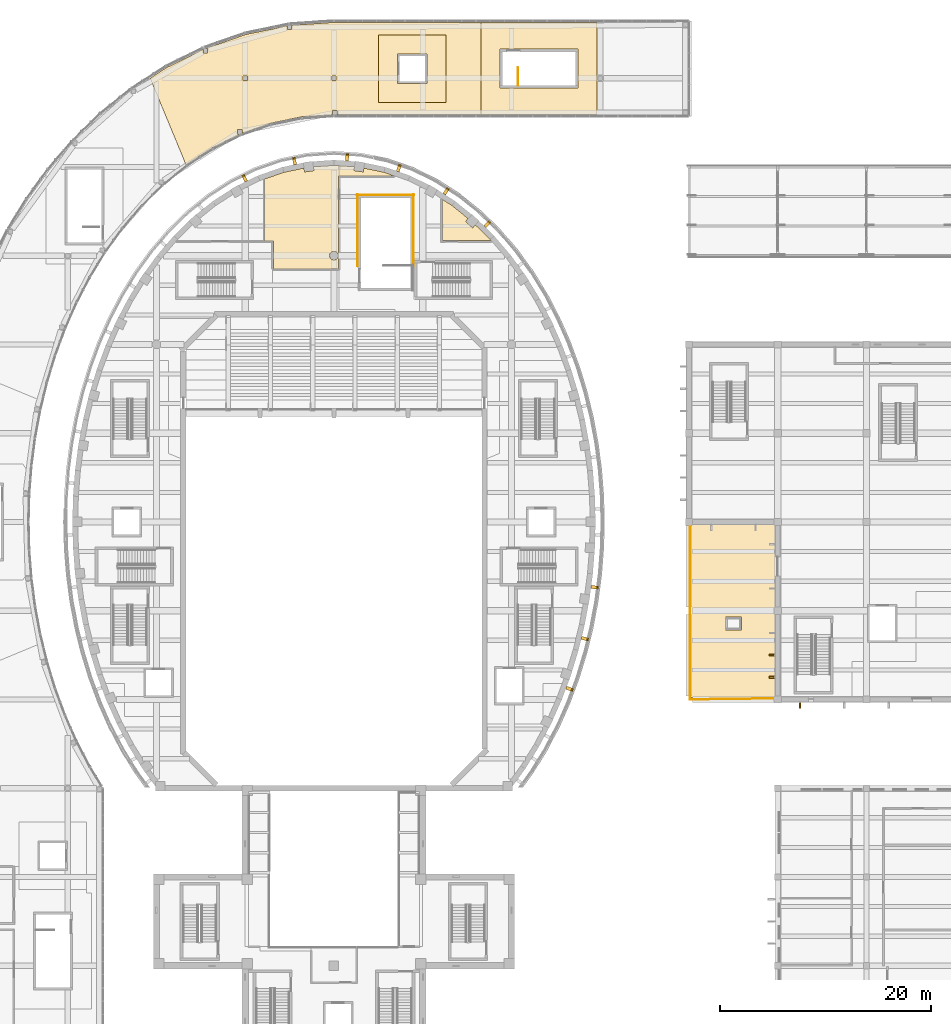
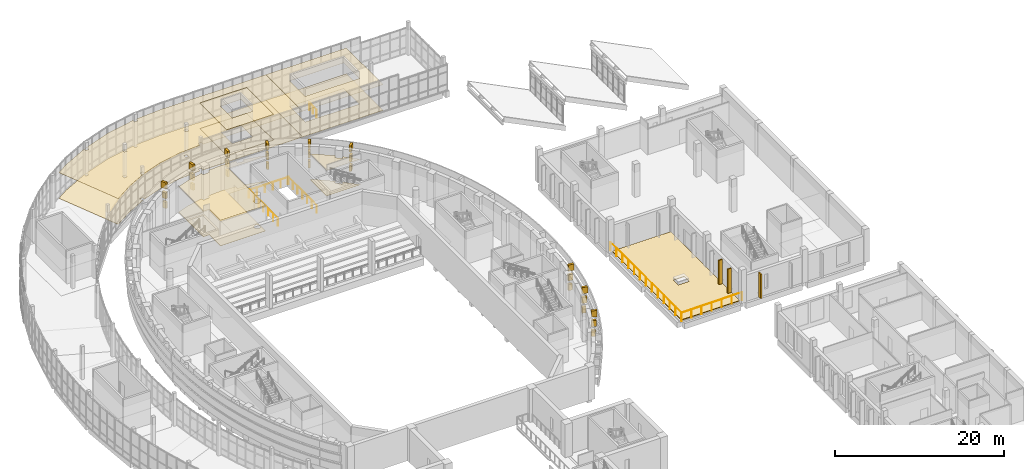
# One storey, part 98 of 103: 41 coverings, 5 railings.
"""IFC4 building model written with IfcOpenShell, lengths in metres."""

from ifc_helpers import new_model, si_unit, direction, frame, origin, origin_2d, place, context, subcontext, project, spatial, polyline, rectangle, circle, outline, extrude, material, layer, layer_set, type_object, element, save


model = new_model("IFC4")

# Units and contexts
model_context = context("Model", 3, precision=1e-05, world=origin(), true_north=direction((0.0, 1.0)))
body_context = subcontext(model_context, "Body", "Model", "MODEL_VIEW")
ifc_project = project(units=[si_unit("LENGTHUNIT", "METRE"), si_unit("AREAUNIT", "SQUARE_METRE"), si_unit("VOLUMEUNIT", "CUBIC_METRE"), si_unit("PLANEANGLEUNIT", "RADIAN"), si_unit("MASSUNIT", "GRAM", prefix="KILO")], contexts=[model_context])

# Site, building, storey
site_placement = place(None, origin())
site = spatial("IfcSite", under=ifc_project, at=site_placement, CompositionType="ELEMENT")
building_placement = place(site_placement, origin())
building = spatial("IfcBuilding", under=site, at=building_placement, Name="Larchfold Concert Hall", CompositionType="ELEMENT")
storey_placement = place(building_placement, frame((0.0, 0.0, 9.60009765625)))
storey = spatial("IfcBuildingStorey", under=building, at=storey_placement, Name="L02", CompositionType="ELEMENT", Elevation=9.60009765625)

# Coverings
ifc_material_1 = material(Name="Mineral fibre ceiling tile")
ifc_layer_1 = layer(ifc_material_1, 0.02001953125)
ifc_layer_set_1 = layer_set([ifc_layer_1], Name="Mineral fibre ceiling tile")
covering_type_1 = type_object("IfcCoveringType", Name="Ceiling mineral fibre tile 20", PredefinedType="CEILING", material=ifc_layer_set_1)
covering_1_placement = place(storey_placement, frame((0.0, 0.0, 3.679931640625)))
element("IfcCovering", 1, at=covering_1_placement, inside=storey, type_object=covering_type_1, Name="Ceiling Public Toilets", PredefinedType="CEILING", context=body_context, shape_type="SweptSolid", body=[
    extrude(outline(polyline([(36.000732421875, 111.215087890625), (36.02001953125, 111.21142578125), (36.02001953125, 111.14990234375), (36.02099609375, 111.21142578125), (36.861572265625, 111.21142578125), (36.861572265625, 108.56494140625), (36.800048828125, 108.5625), (43.034912109375, 108.5625), (43.03857421875, 108.5), (43.03857421875, 117.361572265625), (48.308837890625, 117.360595703125), (47.34130859375, 117.697509765625), (45.433837890625, 118.093017578125), (45.383544921875, 117.7275390625), (44.491943359375, 117.8505859375), (44.542236328125, 118.215576171875), (42.60009765625, 118.349609375), (40.657958984375, 118.215576171875), (40.708251953125, 117.8505859375), (39.816650390625, 117.7275390625), (39.766357421875, 118.093017578125), (37.85888671875, 117.697509765625), (36.0, 117.050048828125), (36.0, 117.0400390625), (36.050048828125, 117.0400390625), (36.050048828125, 111.215087890625), (36.000732421875, 111.215087890625)]), holes=[polyline([(42.49658203125, 109.41357421875), (42.400146484375, 109.45361328125), (42.356689453125, 109.482666015625), (42.28271484375, 109.556640625), (42.23046875, 109.64697265625), (42.213623046875, 109.696533203125), (42.20361328125, 109.747802734375), (42.20361328125, 109.852294921875), (42.23046875, 109.953125), (42.253662109375, 110.0), (42.28271484375, 110.04345703125), (42.356689453125, 110.117431640625), (42.447021484375, 110.169677734375), (42.49658203125, 110.1865234375), (42.60009765625, 110.199951171875), (42.65234375, 110.196533203125), (42.70361328125, 110.1865234375), (42.800048828125, 110.146484375), (42.843505859375, 110.117431640625), (42.91748046875, 110.04345703125), (42.9697265625, 109.953125), (42.986572265625, 109.903564453125), (42.99658203125, 109.852294921875), (42.99658203125, 109.747802734375), (42.9697265625, 109.64697265625), (42.946533203125, 109.60009765625), (42.91748046875, 109.556640625), (42.843505859375, 109.482666015625), (42.753173828125, 109.430419921875), (42.70361328125, 109.41357421875), (42.60009765625, 109.400146484375), (42.5478515625, 109.403564453125), (42.49658203125, 109.41357421875)])]), origin(), (0.0, 0.0, 1.0), 0.02001953125),
])
covering_2_placement = place(storey_placement, frame((0.0, 0.0, 3.679931640625)))
element("IfcCovering", 2, at=covering_2_placement, inside=storey, type_object=covering_type_1, Name="Ceiling Hall Store 01", PredefinedType="CEILING", context=body_context, shape_type="SweptSolid", body=[
    extrude(outline(polyline([(52.87890625, 111.150146484375), (52.87890625, 111.225830078125), (57.489990234375, 111.223876953125), (57.384765625, 111.3466796875), (55.983154296875, 112.717041015625), (55.7314453125, 112.434326171875), (55.059326171875, 113.03271484375), (55.31005859375, 113.314453125), (53.78564453125, 114.541748046875), (52.875, 115.128662109375), (52.87890625, 111.150146484375)])), origin(), (0.0, 0.0, 1.0), 0.02001953125),
])
ifc_material_2 = material(Name="Plasterboard ceiling lining")
ifc_layer_2 = layer(ifc_material_2, 0.030029296875)
ifc_layer_set_2 = layer_set([ifc_layer_2], Name="Plasterboard ceiling lining")
covering_type_2 = type_object("IfcCoveringType", Name="Ceiling suspended plasterboard 30", PredefinedType="CEILING", material=ifc_layer_set_2)
covering_3_placement = place(storey_placement, frame((0.0, 0.0, 3.719970703125)))
element("IfcCovering", 3, at=covering_3_placement, inside=storey, type_object=covering_type_2, Name="Ceiling Winter Garden Foyer North", PredefinedType="CEILING", context=body_context, shape_type="SweptSolid", body=[
    extrude(outline(polyline([(30.40869140625, 129.39794921875), (30.64306640625, 129.39794921875), (30.64306640625, 128.998046875), (30.2431640625, 128.998046875), (30.2431640625, 129.322509765625), (26.771484375, 127.6103515625), (25.203369140625, 126.599365234375), (28.587890625, 118.427978515625), (31.066650390625, 120.028076171875), (33.716064453125, 121.3349609375), (33.47607421875, 121.3349609375), (33.47607421875, 121.73486328125), (33.8759765625, 121.73486328125), (33.8759765625, 121.39306640625), (36.57666015625, 122.333740234375), (39.55224609375, 122.950927734375), (42.484130859375, 123.15283203125), (42.484130859375, 123.550048828125), (42.884033203125, 123.550048828125), (42.884033203125, 123.150146484375), (42.75, 123.14990234375), (56.50048828125, 123.14990234375), (56.50048828125, 131.85009765625), (42.4501953125, 131.85009765625), (42.4501953125, 131.871337890625), (38.386474609375, 131.591064453125), (38.592041015625, 131.591064453125), (38.592041015625, 131.191162109375), (38.192138671875, 131.191162109375), (38.192138671875, 131.553955078125), (34.2529296875, 130.737060546875), (30.40869140625, 129.39794921875)]), holes=[polyline([(46.800048828125, 130.699951171875), (53.199951171875, 130.699951171875), (53.199951171875, 124.300048828125), (46.800048828125, 124.300048828125), (46.800048828125, 130.699951171875)]), polyline([(42.800048828125, 126.400146484375), (42.400146484375, 126.400146484375), (42.400146484375, 126.800048828125), (42.800048828125, 126.800048828125), (42.800048828125, 126.400146484375)]), polyline([(34.39990234375, 126.400146484375), (34.0, 126.400146484375), (34.0, 126.800048828125), (34.39990234375, 126.800048828125), (34.39990234375, 126.400146484375)])]), origin(), (0.0, 0.0, 1.0), 0.030029296875),
])
covering_4_placement = place(storey_placement, frame((0.0, 0.0, 3.719970703125)))
element("IfcCovering", 4, at=covering_4_placement, inside=storey, type_object=covering_type_2, Name="Ceiling Foyer 02", PredefinedType="CEILING", context=body_context, shape_type="SweptSolid", body=[
    extrude(outline(polyline([(67.49951171875, 131.85009765625), (56.50048828125, 131.85009765625), (56.50048828125, 123.14990234375), (67.49951171875, 123.14990234375), (67.49951171875, 131.85009765625)]), holes=[polyline([(65.699951171875, 125.64990234375), (58.300048828125, 125.64990234375), (58.300048828125, 129.35009765625), (65.699951171875, 129.35009765625), (65.699951171875, 125.64990234375)])]), origin(), (0.0, 0.0, 1.0), 0.030029296875),
])
covering_5_placement = place(storey_placement, frame((0.0, 0.0, 3.719970703125)))
element("IfcCovering", 5, at=covering_5_placement, inside=storey, type_object=covering_type_2, Name="Ceiling Foyer 03", PredefinedType="CEILING", context=body_context, shape_type="SweptSolid", body=[
    extrude(outline(polyline([(46.801025390625, 124.301025390625), (53.198974609375, 124.301025390625), (53.198974609375, 130.698974609375), (46.801025390625, 130.698974609375), (46.801025390625, 124.301025390625)]), holes=[polyline([(48.60009765625, 128.89990234375), (51.39990234375, 128.89990234375), (51.39990234375, 126.10009765625), (48.60009765625, 126.10009765625), (48.60009765625, 128.89990234375)])]), origin(), (0.0, 0.0, 1.0), 0.030029296875),
])
ifc_material_3 = material(Name="Ceramic tile")
ifc_layer_3 = layer(ifc_material_3, 0.030029296875)
ifc_layer_set_3 = layer_set([ifc_layer_3], Name="Ceramic tile")
covering_type_3 = type_object("IfcCoveringType", Name="Floor finish ceramic tile 30", PredefinedType="FLOORING", material=ifc_layer_set_3)
covering_6_placement = place(storey_placement, origin())
element("IfcCovering", 6, at=covering_6_placement, inside=storey, type_object=covering_type_3, Name="Floor finish Public Toilets", PredefinedType="FLOORING", context=body_context, shape_type="SweptSolid", body=[
    extrude(outline(polyline([(36.000732421875, 111.215087890625), (36.02001953125, 111.21142578125), (36.02001953125, 111.14990234375), (36.02099609375, 111.21142578125), (36.861572265625, 111.21142578125), (36.861572265625, 108.56494140625), (36.800048828125, 108.5625), (43.034912109375, 108.5625), (43.03857421875, 108.5), (43.03857421875, 117.361572265625), (48.308837890625, 117.360595703125), (47.34130859375, 117.697509765625), (45.433837890625, 118.093017578125), (45.383544921875, 117.7275390625), (44.491943359375, 117.8505859375), (44.542236328125, 118.215576171875), (42.60009765625, 118.349609375), (40.657958984375, 118.215576171875), (40.708251953125, 117.8505859375), (39.816650390625, 117.7275390625), (39.766357421875, 118.093017578125), (37.85888671875, 117.697509765625), (36.0, 117.050048828125), (36.0, 117.0400390625), (36.050048828125, 117.0400390625), (36.050048828125, 111.215087890625), (36.000732421875, 111.215087890625)]), holes=[polyline([(42.49658203125, 109.41357421875), (42.400146484375, 109.45361328125), (42.356689453125, 109.482666015625), (42.28271484375, 109.556640625), (42.23046875, 109.64697265625), (42.213623046875, 109.696533203125), (42.20361328125, 109.747802734375), (42.20361328125, 109.852294921875), (42.23046875, 109.953125), (42.253662109375, 110.0), (42.28271484375, 110.04345703125), (42.356689453125, 110.117431640625), (42.447021484375, 110.169677734375), (42.49658203125, 110.1865234375), (42.60009765625, 110.199951171875), (42.65234375, 110.196533203125), (42.70361328125, 110.1865234375), (42.800048828125, 110.146484375), (42.843505859375, 110.117431640625), (42.91748046875, 110.04345703125), (42.9697265625, 109.953125), (42.986572265625, 109.903564453125), (42.99658203125, 109.852294921875), (42.99658203125, 109.747802734375), (42.9697265625, 109.64697265625), (42.946533203125, 109.60009765625), (42.91748046875, 109.556640625), (42.843505859375, 109.482666015625), (42.753173828125, 109.430419921875), (42.70361328125, 109.41357421875), (42.60009765625, 109.400146484375), (42.5478515625, 109.403564453125), (42.49658203125, 109.41357421875)])]), origin(), (0.0, 0.0, 1.0), 0.030029296875),
])
ifc_material_4 = material(Name="Polished terrazzo")
ifc_layer_4 = layer(ifc_material_4, 0.0400390625)
ifc_layer_set_4 = layer_set([ifc_layer_4], Name="Polished terrazzo")
covering_type_4 = type_object("IfcCoveringType", Name="Floor finish terrazzo 40", PredefinedType="FLOORING", material=ifc_layer_set_4)
covering_7_placement = place(storey_placement, origin())
element("IfcCovering", 7, at=covering_7_placement, inside=storey, type_object=covering_type_4, Name="Floor finish Winter Garden Foyer North", PredefinedType="FLOORING", context=body_context, shape_type="SweptSolid", body=[
    extrude(outline(polyline([(30.40869140625, 129.39794921875), (30.64306640625, 129.39794921875), (30.64306640625, 128.998046875), (30.2431640625, 128.998046875), (30.2431640625, 129.322509765625), (26.771484375, 127.6103515625), (25.203369140625, 126.599365234375), (28.587890625, 118.427978515625), (31.066650390625, 120.028076171875), (33.716064453125, 121.3349609375), (33.47607421875, 121.3349609375), (33.47607421875, 121.73486328125), (33.8759765625, 121.73486328125), (33.8759765625, 121.39306640625), (36.57666015625, 122.333740234375), (39.55224609375, 122.950927734375), (42.484130859375, 123.15283203125), (42.484130859375, 123.550048828125), (42.884033203125, 123.550048828125), (42.884033203125, 123.150146484375), (42.75, 123.14990234375), (56.50048828125, 123.14990234375), (56.50048828125, 131.85009765625), (42.4501953125, 131.85009765625), (42.4501953125, 131.871337890625), (38.386474609375, 131.591064453125), (38.592041015625, 131.591064453125), (38.592041015625, 131.191162109375), (38.192138671875, 131.191162109375), (38.192138671875, 131.553955078125), (34.2529296875, 130.737060546875), (30.40869140625, 129.39794921875)]), holes=[polyline([(46.800048828125, 130.699951171875), (53.199951171875, 130.699951171875), (53.199951171875, 124.300048828125), (46.800048828125, 124.300048828125), (46.800048828125, 130.699951171875)]), polyline([(42.800048828125, 126.400146484375), (42.400146484375, 126.400146484375), (42.400146484375, 126.800048828125), (42.800048828125, 126.800048828125), (42.800048828125, 126.400146484375)]), polyline([(34.39990234375, 126.400146484375), (34.0, 126.400146484375), (34.0, 126.800048828125), (34.39990234375, 126.800048828125), (34.39990234375, 126.400146484375)])]), origin(), (0.0, 0.0, 1.0), 0.0400390625),
])
covering_8_placement = place(storey_placement, origin())
element("IfcCovering", 8, at=covering_8_placement, inside=storey, type_object=covering_type_4, Name="Floor finish Foyer 02", PredefinedType="FLOORING", context=body_context, shape_type="SweptSolid", body=[
    extrude(outline(polyline([(67.49951171875, 131.85009765625), (56.50048828125, 131.85009765625), (56.50048828125, 123.14990234375), (67.49951171875, 123.14990234375), (67.49951171875, 131.85009765625)]), holes=[polyline([(65.699951171875, 125.64990234375), (58.300048828125, 125.64990234375), (58.300048828125, 129.35009765625), (65.699951171875, 129.35009765625), (65.699951171875, 125.64990234375)])]), origin(), (0.0, 0.0, 1.0), 0.0400390625),
])
covering_9_placement = place(storey_placement, origin())
element("IfcCovering", 9, at=covering_9_placement, inside=storey, type_object=covering_type_4, Name="Floor finish Foyer 03", PredefinedType="FLOORING", context=body_context, shape_type="SweptSolid", body=[
    extrude(outline(polyline([(46.801025390625, 124.301025390625), (53.198974609375, 124.301025390625), (53.198974609375, 130.698974609375), (46.801025390625, 130.698974609375), (46.801025390625, 124.301025390625)]), holes=[polyline([(48.60009765625, 128.89990234375), (51.39990234375, 128.89990234375), (51.39990234375, 126.10009765625), (48.60009765625, 126.10009765625), (48.60009765625, 128.89990234375)])]), origin(), (0.0, 0.0, 1.0), 0.0400390625),
])
ifc_material_5 = material(Name="Linoleum sheet")
ifc_layer_5 = layer(ifc_material_5, 0.02001953125)
ifc_layer_set_5 = layer_set([ifc_layer_5], Name="Linoleum sheet")
covering_type_5 = type_object("IfcCoveringType", Name="Floor finish vinyl 20", PredefinedType="FLOORING", material=ifc_layer_set_5)
covering_10_placement = place(storey_placement, origin())
element("IfcCovering", 10, at=covering_10_placement, inside=storey, type_object=covering_type_5, Name="Floor finish Hall Store 01", PredefinedType="FLOORING", context=body_context, shape_type="SweptSolid", body=[
    extrude(outline(polyline([(52.87890625, 111.150146484375), (52.87890625, 111.225830078125), (57.489990234375, 111.223876953125), (57.384765625, 111.3466796875), (55.983154296875, 112.717041015625), (55.7314453125, 112.434326171875), (55.059326171875, 113.03271484375), (55.31005859375, 113.314453125), (53.78564453125, 114.541748046875), (52.875, 115.128662109375), (52.87890625, 111.150146484375)])), origin(), (0.0, 0.0, 1.0), 0.02001953125),
])
ifc_material_6 = material(Name="Glulam GL30c", Category="wood")
ifc_layer_6 = layer(ifc_material_6, 0.159912109375)
ifc_layer_set_6 = layer_set([ifc_layer_6], Name="Glulam GL30c")
covering_type_6 = type_object("IfcCoveringType", Name="Glulam fin 160x500", PredefinedType="CLADDING", material=ifc_layer_set_6)
covering_11_placement = place(storey_placement, frame((0.0, 0.0, 0.199951171875)))
element("IfcCovering", 11, at=covering_11_placement, inside=storey, type_object=covering_type_6, Name="Glulam fin FN-L02-041", PredefinedType="CLADDING", context=body_context, shape_type="SweptSolid", body=[
    extrude(outline(polyline([(84.275146484375, 69.820068359375), (84.275146484375, 69.97998046875), (83.775146484375, 69.97998046875), (83.775146484375, 69.820068359375), (84.275146484375, 69.820068359375)])), origin(), (0.0, 0.0, 1.0), 3.5),
])
covering_12_placement = place(storey_placement, frame((0.0, 0.0, 0.199951171875)))
element("IfcCovering", 12, at=covering_12_placement, inside=storey, type_object=covering_type_6, Name="Glulam fin FN-L02-042", PredefinedType="CLADDING", context=body_context, shape_type="SweptSolid", body=[
    extrude(outline(polyline([(84.275146484375, 71.919921875), (84.275146484375, 72.080078125), (83.775146484375, 72.080078125), (83.775146484375, 71.919921875), (84.275146484375, 71.919921875)])), origin(), (0.0, 0.0, 1.0), 3.5),
])
covering_13_placement = place(storey_placement, frame((0.0, 0.0, 0.199951171875)))
element("IfcCovering", 13, at=covering_13_placement, inside=storey, type_object=covering_type_6, Name="Glulam fin FN-L02-044", PredefinedType="CLADDING", context=body_context, shape_type="SweptSolid", body=[
    extrude(outline(polyline([(86.780029296875, 66.97509765625), (86.780029296875, 67.47509765625), (86.6201171875, 67.47509765625), (86.6201171875, 66.97509765625), (86.780029296875, 66.97509765625)])), origin(), (0.0, 0.0, 1.0), 3.5),
])
ifc_material_7 = material(Name="Galvanised steel bracket", Category="steel")
ifc_layer_7 = layer(ifc_material_7, 0.300048828125)
ifc_layer_set_7 = layer_set([ifc_layer_7], Name="Galvanised steel bracket")
covering_type_7 = type_object("IfcCoveringType", Name="Ring support bracket", PredefinedType="CLADDING", material=ifc_layer_set_7)
for number, where, z_axis, x_axis, name in (
    (14, (57.046630859375, 112.726318359375, 1.349853515625), (0.0, 0.0, 1.0), (0.69916054139, 0.714964710572, 0.0), "Ring bracket BR-R03-07"),
    (15, (53.18017578125, 115.82421875, 1.349853515625), (0.0, 0.0, 1.0), (0.541810395078, 0.840500741098, 0.0), "Ring bracket BR-R03-08"),
    (16, (48.720947265625, 118.01123046875, 1.349853515625), (0.0, 0.0, 1.0), (0.328920226358, 0.944357710136, 0.0), "Ring bracket BR-R03-09"),
    (17, (43.84765625, 119.015380859375, 1.349853515625), (0.0, 0.0, 1.0), (0.068693386901, 0.997637819349, 0.0), "Ring bracket BR-R03-10"),
    (18, (38.881591796875, 118.675537109375, 1.349853515625), (0.0, 0.0, 1.0), (-0.203080334215, 0.979162079461, 0.0), "Ring bracket BR-R03-11"),
    (19, (34.18310546875, 117.04931640625, 1.349853515625), (0.0, 0.0, 1.0), (-0.44236895234, 0.89683315617, 0.0), "Ring bracket BR-R03-12"),
    (20, (64.81982421875, 68.831787109375, 1.349853515625), (0.0, 0.0, 1.0), (0.937177411386, -0.348853120364, 0.0), "Ring bracket BR-R03-30"),
    (21, (66.271240234375, 73.56640625, 1.349853515625), (0.0, 0.0, 1.0), (0.971411707345, -0.237401126438, 0.0), "Ring bracket BR-R03-31"),
    (22, (67.181396484375, 78.430908203125, 1.349853515625), (0.0, 0.0, 1.0), (0.991449907596, -0.130487856632, 0.0), "Ring bracket BR-R03-32"),
):
    element("IfcCovering", number, at=place(storey_placement, frame(where, z_axis=z_axis, x_axis=x_axis)), inside=storey, type_object=covering_type_7, Name=name, PredefinedType="CLADDING", context=body_context, shape_type="SweptSolid", body=[
        extrude(rectangle(XDim=0.5, YDim=0.300048828125, at=origin_2d()), origin(), (0.0, 0.0, 1.0), 0.89990234375),
    ])
for number, where, z_axis, x_axis, name in (
    (23, (57.081787109375, 112.76220703125, 2.75), (0.0, 0.0, 1.0), (0.69916054139, 0.714964710572, 0.0), "Ring bracket BR-R04-07"),
    (24, (53.207275390625, 115.8662109375, 2.75), (0.0, 0.0, 1.0), (0.541810395078, 0.840500741098, 0.0), "Ring bracket BR-R04-08"),
    (25, (48.7373046875, 118.058349609375, 2.75), (0.0, 0.0, 1.0), (0.328920226358, 0.944357710136, 0.0), "Ring bracket BR-R04-09"),
    (26, (43.85107421875, 119.065185546875, 2.75), (0.0, 0.0, 1.0), (0.068693386901, 0.997637819349, 0.0), "Ring bracket BR-R04-10"),
    (27, (38.871337890625, 118.724609375, 2.75), (0.0, 0.0, 1.0), (-0.203080334215, 0.979162079461, 0.0), "Ring bracket BR-R04-11"),
    (28, (34.160888671875, 117.09423828125, 2.75), (0.0, 0.0, 1.0), (-0.44236895234, 0.89683315617, 0.0), "Ring bracket BR-R04-12"),
    (29, (64.86669921875, 68.814453125, 2.75), (0.0, 0.0, 1.0), (0.937177411386, -0.348853120364, 0.0), "Ring bracket BR-R04-30"),
    (30, (66.31982421875, 73.554443359375, 2.75), (0.0, 0.0, 1.0), (0.971411707345, -0.237401126438, 0.0), "Ring bracket BR-R04-31"),
    (31, (67.23095703125, 78.42431640625, 2.75), (0.0, 0.0, 1.0), (0.991449907596, -0.130487856632, 0.0), "Ring bracket BR-R04-32"),
):
    element("IfcCovering", number, at=place(storey_placement, frame(where, z_axis=z_axis, x_axis=x_axis)), inside=storey, type_object=covering_type_7, Name=name, PredefinedType="CLADDING", context=body_context, shape_type="SweptSolid", body=[
        extrude(rectangle(XDim=0.60009765625, YDim=0.300048828125, at=origin_2d()), origin(), (0.0, 0.0, 1.0), 0.89990234375),
    ])
for number, where, z_axis, x_axis, name in (
    (32, (57.11669921875, 112.7978515625, 4.14990234375), (0.0, 0.0, 1.0), (0.69916054139, 0.714964710572, 0.0), "Ring bracket BR-R05-07"),
    (33, (53.234375, 115.908203125, 4.14990234375), (0.0, 0.0, 1.0), (0.541810395078, 0.840500741098, 0.0), "Ring bracket BR-R05-08"),
    (34, (48.75390625, 118.105712890625, 4.14990234375), (0.0, 0.0, 1.0), (0.328920226358, 0.944357710136, 0.0), "Ring bracket BR-R05-09"),
    (35, (43.8544921875, 119.114990234375, 4.14990234375), (0.0, 0.0, 1.0), (0.068693386901, 0.997637819349, 0.0), "Ring bracket BR-R05-10"),
    (36, (38.861083984375, 118.7734375, 4.14990234375), (0.0, 0.0, 1.0), (-0.203080334215, 0.979162079461, 0.0), "Ring bracket BR-R05-11"),
    (37, (34.138916015625, 117.13916015625, 4.14990234375), (0.0, 0.0, 1.0), (-0.44236895234, 0.89683315617, 0.0), "Ring bracket BR-R05-12"),
    (38, (64.91357421875, 68.796875, 4.14990234375), (0.0, 0.0, 1.0), (0.937177411386, -0.348853120364, 0.0), "Ring bracket BR-R05-30"),
    (39, (66.368408203125, 73.542724609375, 4.14990234375), (0.0, 0.0, 1.0), (0.971411707345, -0.237401126438, 0.0), "Ring bracket BR-R05-31"),
    (40, (67.280517578125, 78.417724609375, 4.14990234375), (0.0, 0.0, 1.0), (0.991449907596, -0.130487856632, 0.0), "Ring bracket BR-R05-32"),
):
    element("IfcCovering", number, at=place(storey_placement, frame(where, z_axis=z_axis, x_axis=x_axis)), inside=storey, type_object=covering_type_7, Name=name, PredefinedType="CLADDING", context=body_context, shape_type="SweptSolid", body=[
        extrude(rectangle(XDim=0.699951171875, YDim=0.300048828125, at=origin_2d()), origin(), (0.0, 0.0, 1.0), 0.89990234375),
    ])

# Railing
ifc_material_8 = material(Name="Graphite painted steel guard", Category="steel")
railing_type_1 = type_object("IfcRailingType", Name="Roof guard 1200", PredefinedType="GUARDRAIL", material=ifc_material_8)
railing_1_placement = place(storey_placement, frame((76.300048828125, 84.590087890625, 0.10009765625)))
element("IfcRailing", 41, at=railing_1_placement, inside=storey, type_object=railing_type_1, Name="Roof guard GR0011", PredefinedType="GUARDRAIL", context=body_context, shape_type="SweptSolid", body=[
    extrude(circle(Radius=0.02392578125, at=origin_2d()), frame((0.0, 0.0, 1.17578125), z_axis=(0.0, -1.0, 0.0), x_axis=(1.0, 0.0, 0.0)), (0.0, 0.0, 1.0), 16.7900390625),
    extrude(circle(Radius=0.02392578125, at=origin_2d()), frame((0.0, -16.7900390625, 1.17578125), z_axis=(0.999927111807, 0.012073569203, 0.0), x_axis=(-0.012073569203, 0.999927111807, 0.0)), (0.0, 0.0, 1.0), 8.29052734375),
    extrude(circle(Radius=0.02099609375, at=origin_2d()), origin(), (0.0, 0.0, 1.0), 1.15185546875),
    extrude(circle(Radius=0.02099609375, at=origin_2d()), frame((0.0, -1.399169921875, 0.0)), (0.0, 0.0, 1.0), 1.15185546875),
    extrude(circle(Radius=0.02099609375, at=origin_2d()), frame((0.0, -2.79833984375, 0.0)), (0.0, 0.0, 1.0), 1.15185546875),
    extrude(circle(Radius=0.02099609375, at=origin_2d()), frame((0.0, -4.197509765625, 0.0)), (0.0, 0.0, 1.0), 1.15185546875),
    extrude(circle(Radius=0.02099609375, at=origin_2d()), frame((0.0, -5.5966796875, 0.0)), (0.0, 0.0, 1.0), 1.15185546875),
    extrude(circle(Radius=0.02099609375, at=origin_2d()), frame((0.0, -6.995849609375, 0.0)), (0.0, 0.0, 1.0), 1.15185546875),
    extrude(circle(Radius=0.02099609375, at=origin_2d()), frame((0.0, -8.39501953125, 0.0)), (0.0, 0.0, 1.0), 1.15185546875),
    extrude(circle(Radius=0.02099609375, at=origin_2d()), frame((0.0, -9.794189453125, 0.0)), (0.0, 0.0, 1.0), 1.15185546875),
    extrude(circle(Radius=0.02099609375, at=origin_2d()), frame((0.0, -11.193359375, 0.0)), (0.0, 0.0, 1.0), 1.15185546875),
    extrude(circle(Radius=0.02099609375, at=origin_2d()), frame((0.0, -12.592529296875, 0.0)), (0.0, 0.0, 1.0), 1.15185546875),
    extrude(circle(Radius=0.02099609375, at=origin_2d()), frame((0.0, -13.99169921875, 0.0)), (0.0, 0.0, 1.0), 1.15185546875),
    extrude(circle(Radius=0.02099609375, at=origin_2d()), frame((0.0, -15.390869140625, 0.0)), (0.0, 0.0, 1.0), 1.15185546875),
    extrude(circle(Radius=0.02099609375, at=origin_2d()), frame((0.0, -16.7900390625, 0.0)), (0.0, 0.0, 1.0), 1.15185546875),
    extrude(circle(Radius=0.02099609375, at=origin_2d()), frame((1.381591796875, -16.7734375, 0.0)), (0.0, 0.0, 1.0), 1.15185546875),
    extrude(circle(Radius=0.02099609375, at=origin_2d()), frame((2.763427734375, -16.756591796875, 0.0)), (0.0, 0.0, 1.0), 1.15185546875),
    extrude(circle(Radius=0.02099609375, at=origin_2d()), frame((4.14501953125, -16.739990234375, 0.0)), (0.0, 0.0, 1.0), 1.15185546875),
    extrude(circle(Radius=0.02099609375, at=origin_2d()), frame((5.526611328125, -16.723388671875, 0.0)), (0.0, 0.0, 1.0), 1.15185546875),
    extrude(circle(Radius=0.02099609375, at=origin_2d()), frame((6.908447265625, -16.70654296875, 0.0)), (0.0, 0.0, 1.0), 1.15185546875),
    extrude(circle(Radius=0.02099609375, at=origin_2d()), frame((8.2900390625, -16.68994140625, 0.0)), (0.0, 0.0, 1.0), 1.15185546875),
])

# Covering
ifc_material_9 = material(Name="Insulation and bitumen membrane")
ifc_layer_8 = layer(ifc_material_9, 0.10009765625)
ifc_layer_set_8 = layer_set([ifc_layer_8], Name="Insulation and bitumen membrane")
covering_type_8 = type_object("IfcCoveringType", Name="Roof membrane build-up 100", PredefinedType="ROOFING", material=ifc_layer_set_8)
covering_14_placement = place(storey_placement, origin())
element("IfcCovering", 42, at=covering_14_placement, inside=storey, type_object=covering_type_8, Name="Roof covering RC007", PredefinedType="ROOFING", context=body_context, shape_type="SweptSolid", body=[
    extrude(outline(polyline([(76.39990234375, 68.0), (84.39013671875, 68.0), (84.39013671875, 84.39013671875), (76.39990234375, 84.39013671875), (76.39990234375, 68.0)]), holes=[polyline([(81.14990234375, 75.60009765625), (79.64990234375, 75.60009765625), (79.64990234375, 74.39990234375), (81.14990234375, 74.39990234375), (81.14990234375, 75.60009765625)])]), origin(), (0.0, 0.0, 1.0), 0.10009765625),
])

# Railings
ifc_material_10 = material(Name="Stainless steel balustrade", Category="steel")
railing_type_2 = type_object("IfcRailingType", Name="Stair guard 1100", PredefinedType="GUARDRAIL", material=ifc_material_10)
railing_2_placement = place(storey_placement, frame((60.0, 125.89990234375, 0.0)))
element("IfcRailing", 43, at=railing_2_placement, inside=storey, type_object=railing_type_2, Name="Guard GR0087", PredefinedType="GUARDRAIL", context=body_context, shape_type="SweptSolid", body=[
    extrude(circle(Radius=0.02392578125, at=origin_2d()), frame((0.0, 0.0, 1.076171875), z_axis=(0.0, 1.0, 0.0), x_axis=(-1.0, 0.0, 0.0)), (0.0, 0.0, 1.0), 1.699951171875),
    extrude(circle(Radius=0.02099609375, at=origin_2d()), origin(), (0.0, 0.0, 1.0), 1.052001953125),
    extrude(circle(Radius=0.02099609375, at=origin_2d()), frame((0.0, 0.85009765625, 0.0)), (0.0, 0.0, 1.0), 1.052001953125),
    extrude(circle(Radius=0.02099609375, at=origin_2d()), frame((0.0, 1.699951171875, 0.0)), (0.0, 0.0, 1.0), 1.052001953125),
])
for number, where, name in (
    (44, (50.150146484375, 108.800048828125, 0.0), "Guard GR0089"),
    (45, (44.85009765625, 108.800048828125, 0.0), "Guard GR0090"),
):
    element("IfcRailing", number, at=place(storey_placement, frame(where)), inside=storey, type_object=railing_type_2, Name=name, PredefinedType="GUARDRAIL", context=body_context, shape_type="SweptSolid", body=[
        extrude(circle(Radius=0.02392578125, at=origin_2d()), frame((0.0, 0.0, 1.076171875), z_axis=(0.0, 1.0, 0.0), x_axis=(-1.0, 0.0, 0.0)), (0.0, 0.0, 1.0), 6.800048828125),
        extrude(circle(Radius=0.02099609375, at=origin_2d()), origin(), (0.0, 0.0, 1.0), 1.052001953125),
        extrude(circle(Radius=0.02099609375, at=origin_2d()), frame((0.0, 1.13330078125, 0.0)), (0.0, 0.0, 1.0), 1.052001953125),
        extrude(circle(Radius=0.02099609375, at=origin_2d()), frame((0.0, 2.2666015625, 0.0)), (0.0, 0.0, 1.0), 1.052001953125),
        extrude(circle(Radius=0.02099609375, at=origin_2d()), frame((0.0, 3.39990234375, 0.0)), (0.0, 0.0, 1.0), 1.052001953125),
        extrude(circle(Radius=0.02099609375, at=origin_2d()), frame((0.0, 4.533447265625, 0.0)), (0.0, 0.0, 1.0), 1.052001953125),
        extrude(circle(Radius=0.02099609375, at=origin_2d()), frame((0.0, 5.666748046875, 0.0)), (0.0, 0.0, 1.0), 1.052001953125),
        extrude(circle(Radius=0.02099609375, at=origin_2d()), frame((0.0, 6.800048828125, 0.0)), (0.0, 0.0, 1.0), 1.052001953125),
    ])
railing_3_placement = place(storey_placement, frame((50.2001953125, 115.550048828125, 0.0)))
element("IfcRailing", 46, at=railing_3_placement, inside=storey, type_object=railing_type_2, Name="Guard GR0091", PredefinedType="GUARDRAIL", context=body_context, shape_type="SweptSolid", body=[
    extrude(circle(Radius=0.02392578125, at=origin_2d()), frame((0.0, 0.0, 1.076171875), z_axis=(-1.0, 0.0, 0.0), x_axis=(0.0, -1.0, 0.0)), (0.0, 0.0, 1.0), 5.400146484375),
    extrude(circle(Radius=0.02099609375, at=origin_2d()), origin(), (0.0, 0.0, 1.0), 1.052001953125),
    extrude(circle(Radius=0.02099609375, at=origin_2d()), frame((-1.080078125, 0.0, 0.0)), (0.0, 0.0, 1.0), 1.052001953125),
    extrude(circle(Radius=0.02099609375, at=origin_2d()), frame((-2.16015625, 0.0, 0.0)), (0.0, 0.0, 1.0), 1.052001953125),
    extrude(circle(Radius=0.02099609375, at=origin_2d()), frame((-3.239990234375, 0.0, 0.0)), (0.0, 0.0, 1.0), 1.052001953125),
    extrude(circle(Radius=0.02099609375, at=origin_2d()), frame((-4.320068359375, 0.0, 0.0)), (0.0, 0.0, 1.0), 1.052001953125),
    extrude(circle(Radius=0.02099609375, at=origin_2d()), frame((-5.400146484375, 0.0, 0.0)), (0.0, 0.0, 1.0), 1.052001953125),
])

save(model, "model.ifc")
